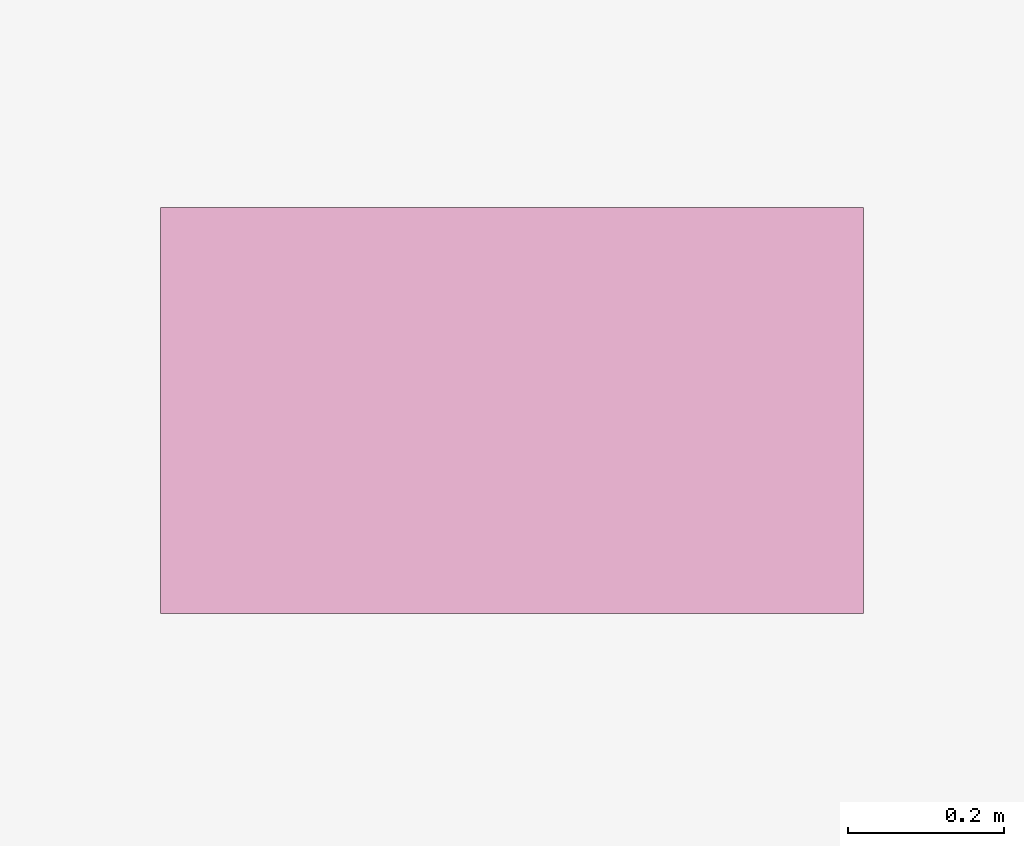
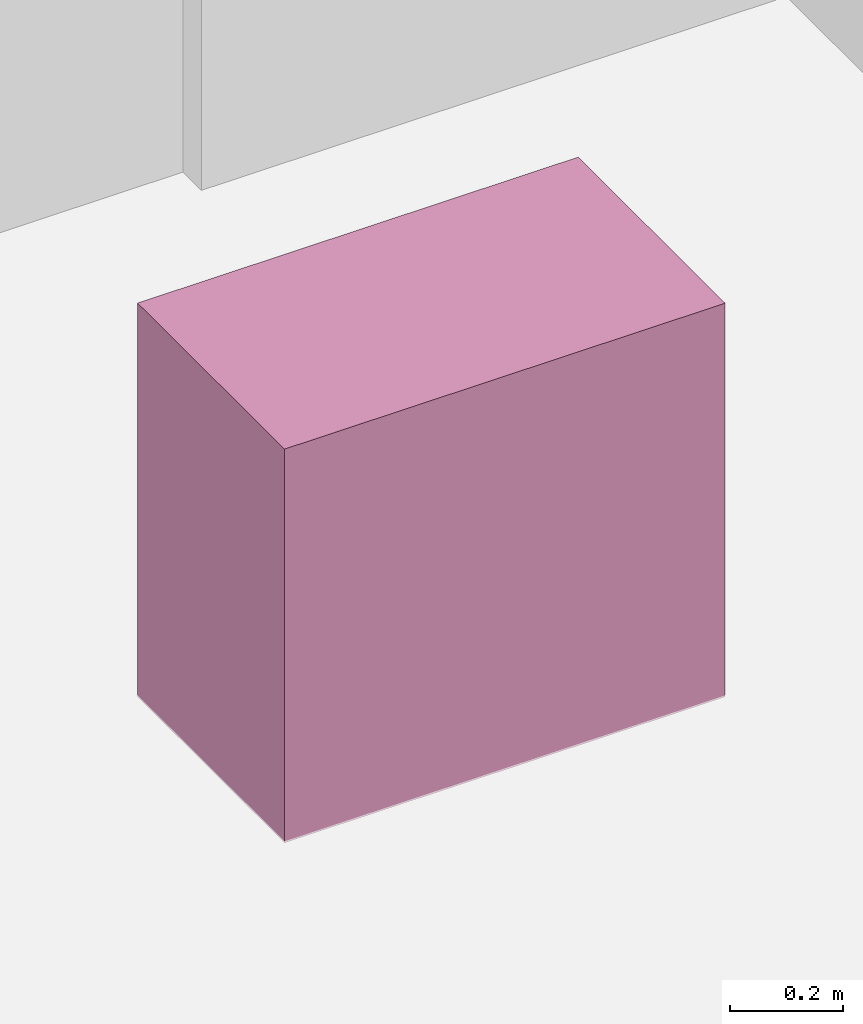
# One storey, part 33 of 33: 1 furnishing.
"""IFC4 building model written with IfcOpenShell, lengths in metres."""

from ifc_helpers import new_model, si_unit, direction, frame, origin, origin_2d, place, context, subcontext, project, spatial, rectangle, extrude, material, type_object, element, save


model = new_model("IFC4")

# Units and contexts
model_context = context("Model", 3, precision=1e-05, world=origin(), true_north=direction((0.0, 1.0)))
body_context = subcontext(model_context, "Body", "Model", "MODEL_VIEW")
ifc_project = project(units=[si_unit("LENGTHUNIT", "METRE"), si_unit("AREAUNIT", "SQUARE_METRE"), si_unit("VOLUMEUNIT", "CUBIC_METRE"), si_unit("PLANEANGLEUNIT", "RADIAN"), si_unit("MASSUNIT", "GRAM", prefix="KILO")], contexts=[model_context])

# Site, building, storey
site_placement = place(None, origin())
site = spatial("IfcSite", under=ifc_project, at=site_placement, CompositionType="ELEMENT")
building_placement = place(site_placement, origin())
building = spatial("IfcBuilding", under=site, at=building_placement, Name="Vorneva Point Tower", CompositionType="ELEMENT")
storey_placement = place(building_placement, frame((0.0, 0.0, 221.39990234375)))
storey = spatial("IfcBuildingStorey", under=building, at=storey_placement, Name="L60", CompositionType="ELEMENT", Elevation=221.39990234375)

# Furnishing
ifc_material = material(Name="Vitreous china and granite top", Category="masonry")
furniture_type = type_object("IfcFurnitureType", Name="FUR-VAN-900", AssemblyPlace="NOTDEFINED", PredefinedType="NOTDEFINED", material=ifc_material)
furnishing_placement = place(storey_placement, frame((37.97509765625, 32.1201171875, -0.0048828125), z_axis=(0.0, 0.0, 1.0), x_axis=(1.0, 0.0, 0.0)))
element("IfcFurnishingElement", 1, at=furnishing_placement, inside=storey, type_object=furniture_type, Name="L60 Accessible WC Vanity Unit", ObjectType="L60 Accessible WC Vanity Unit", context=body_context, shape_type="SweptSolid", body=[
    extrude(rectangle(XDim=0.89990234375, YDim=0.52001953125, at=origin_2d()), origin(), (0.0, 0.0, 1.0), 0.85009765625),
])

save(model, "model.ifc")
